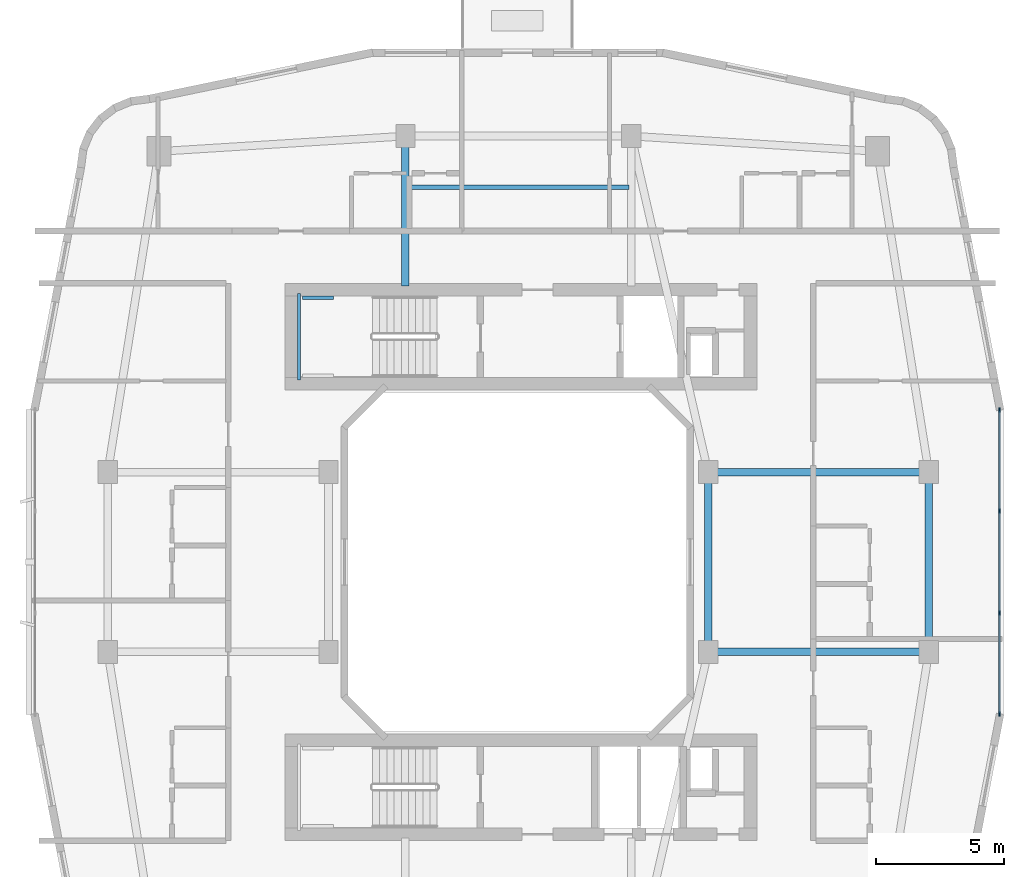
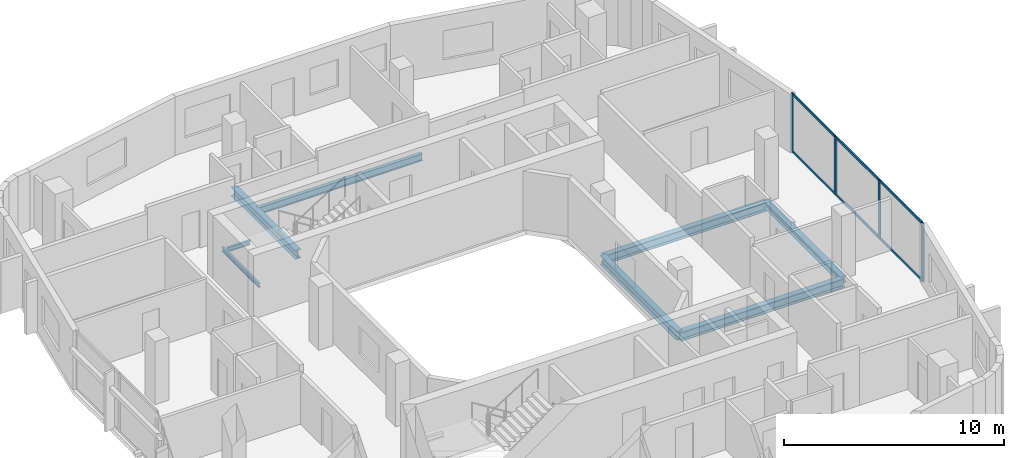
# One storey, part 6 of 22: 10 members, 8 beams, 1 element without a shape of its own.
"""IFC4 building model written with IfcOpenShell, lengths in metres."""

from ifc_helpers import new_model, si_unit, derived_unit, direction, frame, origin, origin_2d, place, context, subcontext, project, spatial, rectangle, i_section, extrude, material, layer, layer_set, material_profile, profile_set, type_object, element, aggregate, save


model = new_model("IFC4")

# Units and contexts
model_context = context("Model", 3, precision=1e-05, world=origin(), true_north=direction((0.0, 1.0)))
body_context = subcontext(model_context, "Body", "Model", "MODEL_VIEW")
ifc_project = project(units=[si_unit("LENGTHUNIT", "METRE"), si_unit("AREAUNIT", "SQUARE_METRE"), si_unit("VOLUMEUNIT", "CUBIC_METRE"), si_unit("PLANEANGLEUNIT", "RADIAN"), si_unit("MASSUNIT", "GRAM", prefix="KILO"), derived_unit("THERMALTRANSMITTANCEUNIT", [(si_unit("POWERUNIT", "WATT"), 1), (si_unit("LENGTHUNIT", "METRE"), -2), (si_unit("THERMODYNAMICTEMPERATUREUNIT", "KELVIN"), -1)])], contexts=[model_context])

# Site, building, storey
site_placement = place(None, origin())
site = spatial("IfcSite", under=ifc_project, at=site_placement, CompositionType="ELEMENT")
building_placement = place(site_placement, origin())
building = spatial("IfcBuilding", under=site, at=building_placement, Name="Kivonza Crest Hotel", CompositionType="ELEMENT")
storey_placement = place(building_placement, frame((0.0, 0.0, 59.0)))
storey = spatial("IfcBuildingStorey", under=building, at=storey_placement, Name="L15", CompositionType="ELEMENT", Elevation=59.0)

# Beams
ifc_material_1 = material(Name="Steel S355", Category="steel")
ifc_material_profile_1 = material_profile(ifc_material_1, i_section(OverallWidth=0.300048828125, OverallDepth=0.360107421875, WebThickness=0.012451171875, FlangeThickness=0.0224609375, FilletRadius=0.027099609375, at=origin_2d()), Name="HEB 360")
ifc_profile_set_1 = profile_set([ifc_material_profile_1], Name="Steel S355")
beam_type_1 = type_object("IfcBeamType", Name="BM-HEB360", PredefinedType="SPANDREL", material=ifc_profile_set_1)
beam_1_placement = place(storey_placement, frame((93.0, 21.5, -0.429931640625), z_axis=(0.0, 1.0, 0.0), x_axis=(-1.0, 0.0, 0.0)))
element("IfcBeam", 1, at=beam_1_placement, inside=storey, type_object=beam_type_1, Name="Companion Tower T2 L15 perimeter spandrel E1-E2", PredefinedType="SPANDREL", context=body_context, shape_type="SweptSolid", body=[
    extrude(i_section(OverallWidth=0.300048828125, OverallDepth=0.360107421875, WebThickness=0.012451171875, FlangeThickness=0.0224609375, FilletRadius=0.027099609375, at=origin_2d()), origin(), (0.0, 0.0, 1.0), 7.0),
])
ifc_material_profile_2 = material_profile(ifc_material_1, i_section(OverallWidth=0.300048828125, OverallDepth=0.5, WebThickness=0.014404296875, FlangeThickness=0.028076171875, FilletRadius=0.027099609375, at=origin_2d()), Name="HEB 500")
ifc_profile_set_2 = profile_set([ifc_material_profile_2], Name="Steel S355")
beam_type_2 = type_object("IfcBeamType", Name="BM-HEB500", PredefinedType="BEAM", material=ifc_profile_set_2)
for number, where, z_axis, x_axis, name in (
    (2, (84.39990234375, 21.5, -0.5), (1.0, 0.0, 0.0), (0.0, 1.0, 0.0), "Companion Tower T2 L15 girder WR1-E1"),
    (3, (84.39990234375, 28.5, -0.5), (1.0, 0.0, 0.0), (0.0, 1.0, 0.0), "Companion Tower T2 L15 girder WR2-E2"),
):
    element("IfcBeam", number, at=place(storey_placement, frame(where, z_axis=z_axis, x_axis=x_axis)), inside=storey, type_object=beam_type_2, Name=name, PredefinedType="BEAM", context=body_context, shape_type="SweptSolid", body=[
        extrude(i_section(OverallWidth=0.300048828125, OverallDepth=0.5, WebThickness=0.014404296875, FlangeThickness=0.028076171875, FilletRadius=0.027099609375, at=origin_2d()), origin(), (0.0, 0.0, 1.0), 8.60009765625),
    ])
beam_2_placement = place(storey_placement, frame((84.39990234375, 21.5, -0.5), z_axis=(0.0, 1.0, 0.0), x_axis=(-1.0, 0.0, 0.0)))
element("IfcBeam", 4, at=beam_2_placement, inside=storey, type_object=beam_type_2, Name="Companion Tower T2 L15 girder WR1-WR2", PredefinedType="BEAM", context=body_context, shape_type="SweptSolid", body=[
    extrude(i_section(OverallWidth=0.300048828125, OverallDepth=0.5, WebThickness=0.014404296875, FlangeThickness=0.028076171875, FilletRadius=0.027099609375, at=origin_2d()), origin(), (0.0, 0.0, 1.0), 7.0),
])
beam_3_placement = place(storey_placement, frame((72.60009765625, 41.60009765625, -0.5), z_axis=(0.0, -1.0, 0.0), x_axis=(1.0, 0.0, 0.0)))
element("IfcBeam", 5, at=beam_3_placement, inside=storey, type_object=beam_type_2, Name="Companion T2 L15 radial core girder RN1", PredefinedType="BEAM", context=body_context, shape_type="SweptSolid", body=[
    extrude(i_section(OverallWidth=0.300048828125, OverallDepth=0.5, WebThickness=0.014404296875, FlangeThickness=0.028076171875, FilletRadius=0.027099609375, at=origin_2d()), origin(), (0.0, 0.0, 1.0), 5.85009765625),
])
ifc_material_profile_3 = material_profile(ifc_material_1, i_section(OverallWidth=0.179931640625, OverallDepth=0.39990234375, WebThickness=0.008544921875, FlangeThickness=0.013427734375, FilletRadius=0.02099609375, at=origin_2d()), Name="IPE 400")
ifc_profile_set_3 = profile_set([ifc_material_profile_3], Name="Steel S355")
beam_type_3 = type_object("IfcBeamType", Name="BM-IPE400", PredefinedType="JOIST", material=ifc_profile_set_3)
beam_4_placement = place(storey_placement, frame((72.679931640625, 39.60009765625, -0.449951171875), z_axis=(1.0, 0.0, 0.0), x_axis=(0.0, 1.0, 0.0)))
element("IfcBeam", 6, at=beam_4_placement, inside=storey, type_object=beam_type_3, Name="Companion Tower T2 L15 North floor joist", PredefinedType="JOIST", context=body_context, shape_type="SweptSolid", body=[
    extrude(i_section(OverallWidth=0.179931640625, OverallDepth=0.39990234375, WebThickness=0.008544921875, FlangeThickness=0.013427734375, FilletRadius=0.02099609375, at=origin_2d()), origin(), (0.0, 0.0, 1.0), 8.64013671875),
])
ifc_material_profile_4 = material_profile(ifc_material_1, i_section(OverallWidth=0.1201171875, OverallDepth=0.239990234375, WebThickness=0.006103515625, FlangeThickness=0.009765625, FilletRadius=0.014892578125, at=origin_2d()), Name="IPE 240")
ifc_profile_set_4 = profile_set([ifc_material_profile_4], Name="Steel S355")
beam_type_4 = type_object("IfcBeamType", Name="BM-LLDG-240", PredefinedType="BEAM", material=ifc_profile_set_4)
beam_5_placement = place(storey_placement, frame((68.4599609375, 32.10009765625, 1.429931640625), z_axis=(0.0, 1.0, 0.0), x_axis=(-1.0, 0.0, 0.0)))
element("IfcBeam", 7, at=beam_5_placement, inside=storey, type_object=beam_type_4, Name="Stair ST-T2-N L15 West landing corbel", PredefinedType="BEAM", context=body_context, shape_type="SweptSolid", body=[
    extrude(i_section(OverallWidth=0.1201171875, OverallDepth=0.239990234375, WebThickness=0.006103515625, FlangeThickness=0.009765625, FilletRadius=0.014892578125, at=origin_2d()), origin(), (0.0, 0.0, 1.0), 3.35986328125),
])
beam_6_placement = place(storey_placement, frame((68.590087890625, 35.300048828125, 1.429931640625), z_axis=(1.0, 0.0, 0.0), x_axis=(0.0, 1.0, 0.0)))
element("IfcBeam", 8, at=beam_6_placement, inside=storey, type_object=beam_type_4, Name="Stair ST-T2-N L15 North landing corbel", PredefinedType="BEAM", context=body_context, shape_type="SweptSolid", body=[
    extrude(i_section(OverallWidth=0.1201171875, OverallDepth=0.239990234375, WebThickness=0.006103515625, FlangeThickness=0.009765625, FilletRadius=0.014892578125, at=origin_2d()), origin(), (0.0, 0.0, 1.0), 1.2099609375),
])

# Curtain wall, members
ifc_material_2 = material(Name="Anodised bronze aluminium and low-E double glazing", Category="aluminium")
ifc_layer = layer(ifc_material_2, 0.179931640625)
ifc_layer_set = layer_set([ifc_layer], Name="Anodised bronze aluminium and low-E double glazing")
curtain_wall_type = type_object("IfcCurtainWallType", Name="CW-SYS-4", PredefinedType="NOTDEFINED", material=ifc_layer_set)
curtain_wall_placement = place(storey_placement, origin())
curtain_wall = element("IfcCurtainWall", 9, at=curtain_wall_placement, inside=storey, type_object=curtain_wall_type, Name="L15 unitised curtain wall CW-T2-L15-17", PredefinedType="NOTDEFINED")
ifc_material_3 = material(Name="Anodised bronze aluminium", Category="aluminium")
ifc_material_profile_5 = material_profile(ifc_material_3, rectangle(XDim=0.06494140625, YDim=0.179931640625, at=origin_2d()), Name="CW-M 65x180")
ifc_profile_set_5 = profile_set([ifc_material_profile_5], Name="Anodised bronze aluminium")
member_type_1 = type_object("IfcMemberType", Name="CW-MUL-65x180", PredefinedType="MULLION", material=ifc_profile_set_5)
member_1_placement = place(storey_placement, frame((95.760009765625, 19.072509765625, 0.0), z_axis=(0.0, 0.0, 1.0), x_axis=(-1.0, 0.0, 0.0)))
member_1 = element("IfcMember", 10, at=member_1_placement, type_object=member_type_1, Name="CW-4 mullion 1", PredefinedType="MULLION", context=body_context, shape_type="SweptSolid", body=[
    extrude(rectangle(XDim=0.06494140625, YDim=0.179931640625, at=origin_2d()), origin(), (0.0, 0.0, 1.0), 3.25),
])
member_2_placement = place(storey_placement, frame((95.760009765625, 23.013427734375, 0.0), z_axis=(0.0, 0.0, 1.0), x_axis=(-1.0, 0.0, 0.0)))
member_2 = element("IfcMember", 11, at=member_2_placement, type_object=member_type_1, Name="CW-4 mullion 2", PredefinedType="MULLION", context=body_context, shape_type="SweptSolid", body=[
    extrude(rectangle(XDim=0.06494140625, YDim=0.179931640625, at=origin_2d()), origin(), (0.0, 0.0, 1.0), 3.25),
])
member_3_placement = place(storey_placement, frame((95.760009765625, 26.986572265625, 0.0), z_axis=(0.0, 0.0, 1.0), x_axis=(-1.0, 0.0, 0.0)))
member_3 = element("IfcMember", 12, at=member_3_placement, type_object=member_type_1, Name="CW-4 mullion 3", PredefinedType="MULLION", context=body_context, shape_type="SweptSolid", body=[
    extrude(rectangle(XDim=0.06494140625, YDim=0.179931640625, at=origin_2d()), origin(), (0.0, 0.0, 1.0), 3.25),
])
member_4_placement = place(storey_placement, frame((95.760009765625, 30.927490234375, 0.0), z_axis=(0.0, 0.0, 1.0), x_axis=(-1.0, 0.0, 0.0)))
member_4 = element("IfcMember", 13, at=member_4_placement, type_object=member_type_1, Name="CW-4 mullion 4", PredefinedType="MULLION", context=body_context, shape_type="SweptSolid", body=[
    extrude(rectangle(XDim=0.06494140625, YDim=0.179931640625, at=origin_2d()), origin(), (0.0, 0.0, 1.0), 3.25),
])
ifc_material_profile_6 = material_profile(ifc_material_3, rectangle(XDim=0.06494140625, YDim=0.139892578125, at=origin_2d()), Name="CW-T 65x140")
ifc_profile_set_6 = profile_set([ifc_material_profile_6], Name="Anodised bronze aluminium")
member_type_2 = type_object("IfcMemberType", Name="CW-TRN-65x140", PredefinedType="USERDEFINED", material=ifc_profile_set_6)
member_5_placement = place(storey_placement, frame((95.760009765625, 19.10498046875, 0.032470703125), z_axis=(0.0, 1.0, 0.0), x_axis=(-1.0, 0.0, 0.0)))
member_5 = element("IfcMember", 14, at=member_5_placement, type_object=member_type_2, Name="CW-4 transom 1.1", ObjectType="TRANSOM", PredefinedType="USERDEFINED", context=body_context, shape_type="SweptSolid", body=[
    extrude(rectangle(XDim=0.06494140625, YDim=0.139892578125, at=origin_2d()), origin(), (0.0, 0.0, 1.0), 3.875732421875),
])
member_6_placement = place(storey_placement, frame((95.760009765625, 19.10498046875, 3.217529296875), z_axis=(0.0, 1.0, 0.0), x_axis=(-1.0, 0.0, 0.0)))
member_6 = element("IfcMember", 15, at=member_6_placement, type_object=member_type_2, Name="CW-4 transom 1.2", ObjectType="TRANSOM", PredefinedType="USERDEFINED", context=body_context, shape_type="SweptSolid", body=[
    extrude(rectangle(XDim=0.06494140625, YDim=0.139892578125, at=origin_2d()), origin(), (0.0, 0.0, 1.0), 3.875732421875),
])
member_7_placement = place(storey_placement, frame((95.760009765625, 23.0458984375, 0.032470703125), z_axis=(0.0, 1.0, 0.0), x_axis=(-1.0, 0.0, 0.0)))
member_7 = element("IfcMember", 16, at=member_7_placement, type_object=member_type_2, Name="CW-4 transom 2.1", ObjectType="TRANSOM", PredefinedType="USERDEFINED", context=body_context, shape_type="SweptSolid", body=[
    extrude(rectangle(XDim=0.06494140625, YDim=0.139892578125, at=origin_2d()), origin(), (0.0, 0.0, 1.0), 3.908203125),
])
member_8_placement = place(storey_placement, frame((95.760009765625, 23.0458984375, 3.217529296875), z_axis=(0.0, 1.0, 0.0), x_axis=(-1.0, 0.0, 0.0)))
member_8 = element("IfcMember", 17, at=member_8_placement, type_object=member_type_2, Name="CW-4 transom 2.2", ObjectType="TRANSOM", PredefinedType="USERDEFINED", context=body_context, shape_type="SweptSolid", body=[
    extrude(rectangle(XDim=0.06494140625, YDim=0.139892578125, at=origin_2d()), origin(), (0.0, 0.0, 1.0), 3.908203125),
])
member_9_placement = place(storey_placement, frame((95.760009765625, 27.019287109375, 0.032470703125), z_axis=(0.0, 1.0, 0.0), x_axis=(-1.0, 0.0, 0.0)))
member_9 = element("IfcMember", 18, at=member_9_placement, type_object=member_type_2, Name="CW-4 transom 3.1", ObjectType="TRANSOM", PredefinedType="USERDEFINED", context=body_context, shape_type="SweptSolid", body=[
    extrude(rectangle(XDim=0.06494140625, YDim=0.139892578125, at=origin_2d()), origin(), (0.0, 0.0, 1.0), 3.875732421875),
])
member_10_placement = place(storey_placement, frame((95.760009765625, 27.019287109375, 3.217529296875), z_axis=(0.0, 1.0, 0.0), x_axis=(-1.0, 0.0, 0.0)))
member_10 = element("IfcMember", 19, at=member_10_placement, type_object=member_type_2, Name="CW-4 transom 3.2", ObjectType="TRANSOM", PredefinedType="USERDEFINED", context=body_context, shape_type="SweptSolid", body=[
    extrude(rectangle(XDim=0.06494140625, YDim=0.139892578125, at=origin_2d()), origin(), (0.0, 0.0, 1.0), 3.875732421875),
])
aggregate(curtain_wall, [member_1, member_2, member_3, member_4, member_5, member_6, member_7, member_8, member_9, member_10])

save(model, "model.ifc")
